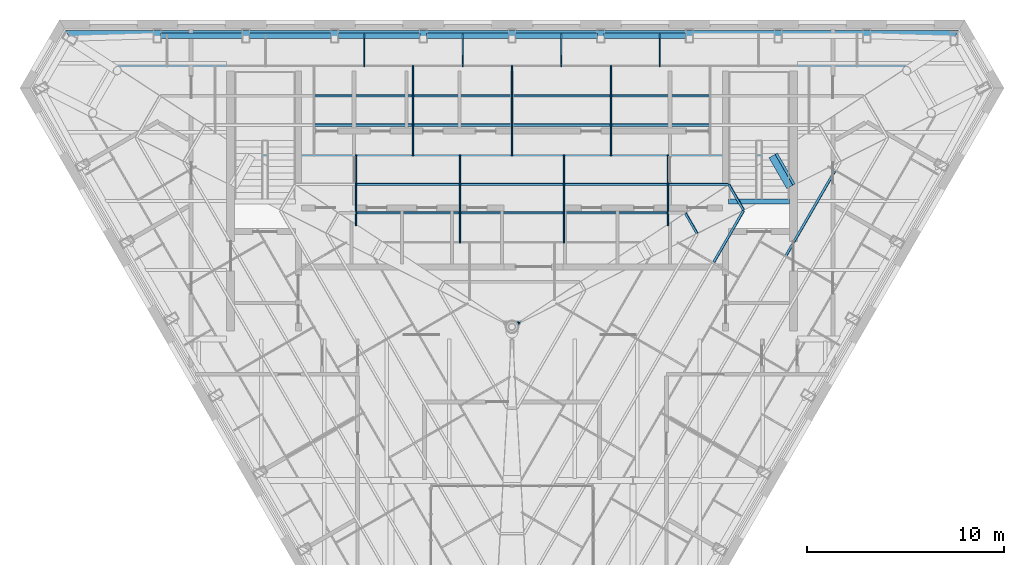
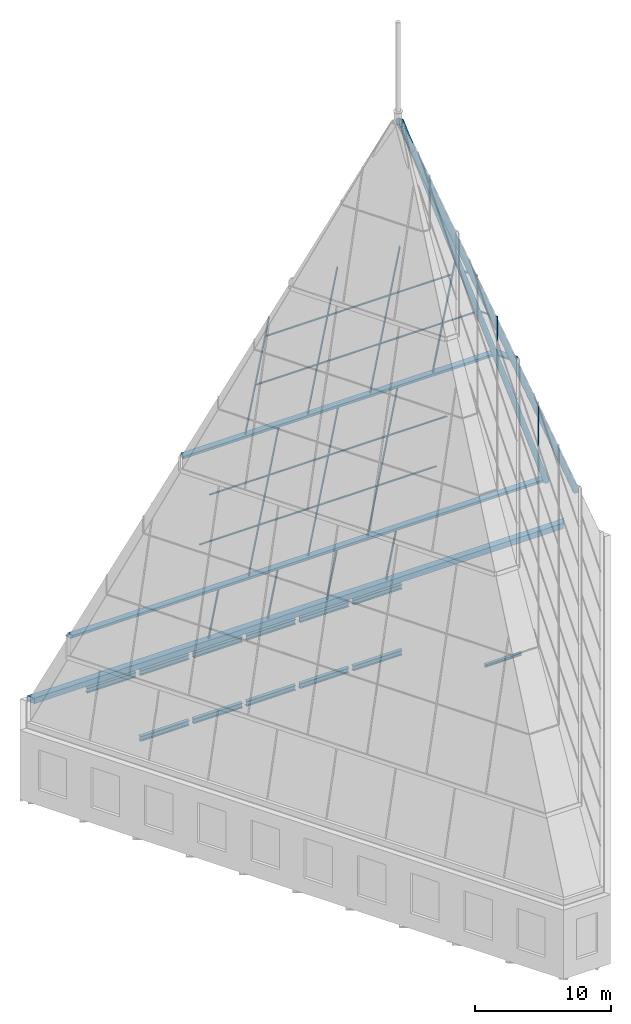
# One storey, part 22 of 36: 36 members, 12 beams, 7 elements without a shape of their own.
"""IFC4 building model written with IfcOpenShell, lengths in metres."""

import ifcopenshell
import ifcopenshell.guid

model = None  # the IFC model being written
_history = None  # IfcOwnerHistory: only IFC2X3 demands one
_inside = {}  # id of a spatial element -> (the spatial element, [elements in it])
_under = {}  # id of a project, library or spatial element -> (it, [spatial elements below it])
_declared = {}  # id of a project -> (the project, [libraries it declares])
_typed = {}  # id of a type object -> (the type object, [elements of that type])
_made_of = {}  # id of a material, layer set ... -> (it, [elements and type objects made of it])


def new_model(schema):
    """Start an empty IFC model of exactly this schema.

    Asked for "IFC4X3", IfcOpenShell would pick the latest addendum, in which some entities
    have other attributes; the version numbers below select the first issue.
    IFC2X3 requires an IfcOwnerHistory on every rooted entity: one is made here for all.
    """
    global model, _history
    if schema == "IFC4X3":
        model = ifcopenshell.file(schema_version=(4, 3, 0, 0))
    else:
        model = ifcopenshell.file(schema=schema)
    _inside.clear()
    _under.clear()
    _declared.clear()
    _typed.clear()
    _made_of.clear()
    _history = None
    if model.schema == "IFC2X3":
        org = make("IfcOrganization", Name="unknown")
        user = make(
            "IfcPersonAndOrganization",
            ThePerson=make("IfcPerson", FamilyName="unknown"),
            TheOrganization=org,
        )
        app = make(
            "IfcApplication",
            ApplicationDeveloper=org,
            Version="unknown",
            ApplicationFullName="unknown",
            ApplicationIdentifier="unknown",
        )
        _history = make(
            "IfcOwnerHistory",
            OwningUser=user,
            OwningApplication=app,
            ChangeAction="ADDED",
            CreationDate=0,
        )
    return model


def make(cls, **values):
    """One entity of the class cls with the attributes given. An attribute that is None is left unset."""
    return model.create_entity(
        cls, **{name: value for name, value in values.items() if value is not None}
    )


def rooted(cls, **values):
    """An entity with a GlobalId (a new one), such as an element, a storey or a relation."""
    return make(cls, GlobalId=ifcopenshell.guid.new(), OwnerHistory=_history, **values)


def si_unit(unit_type, name, prefix=None):
    """IfcSIUnit, for example si_unit("LENGTHUNIT", "METRE", prefix="MILLI")."""
    return make("IfcSIUnit", UnitType=unit_type, Prefix=prefix, Name=name)


def assignment(units):
    """IfcUnitAssignment: the units of a project."""
    return None if units is None else make("IfcUnitAssignment", Units=units)


def point(xyz):
    """IfcCartesianPoint."""
    return None if xyz is None else make("IfcCartesianPoint", Coordinates=xyz)


def direction(xyz):
    """IfcDirection."""
    return None if xyz is None else make("IfcDirection", DirectionRatios=xyz)


def frame(location, z_axis=None, x_axis=None):
    """IfcAxis2Placement3D, a coordinate frame: its origin and axes. An axis left out is left unset."""
    return make(
        "IfcAxis2Placement3D",
        Location=point(location),
        Axis=direction(z_axis),
        RefDirection=direction(x_axis),
    )


def frame_2d(location, x_axis=None):
    """IfcAxis2Placement2D, a coordinate frame in the plane: its origin and x axis."""
    return make(
        "IfcAxis2Placement2D", Location=point(location), RefDirection=direction(x_axis)
    )


def origin():
    """The frame at (0, 0, 0) with its axes left unset."""
    return frame((0.0, 0.0, 0.0))


def origin_2d():
    """The frame at (0, 0) in the plane with its x axis left unset."""
    return frame_2d((0.0, 0.0))


def place(relative_to, where):
    """IfcLocalPlacement: puts the frame where relative to a parent placement (None: the world)."""
    return make(
        "IfcLocalPlacement", PlacementRelTo=relative_to, RelativePlacement=where
    )


def context(
    kind, dimensions, precision=None, world=None, true_north=None, identifier=None
):
    """IfcGeometricRepresentationContext, for example the 3D "Model" context."""
    return make(
        "IfcGeometricRepresentationContext",
        ContextIdentifier=identifier,
        ContextType=kind,
        CoordinateSpaceDimension=dimensions,
        Precision=precision,
        WorldCoordinateSystem=world,
        TrueNorth=true_north,
    )


def subcontext(parent, identifier, kind, view, scale=None):
    """IfcGeometricRepresentationSubContext, for example "Body" below "Model"."""
    return make(
        "IfcGeometricRepresentationSubContext",
        ContextIdentifier=identifier,
        ContextType=kind,
        ParentContext=parent,
        TargetScale=scale,
        TargetView=view,
    )


def project(units=None, contexts=None):
    """IfcProject with its units and contexts."""
    return rooted(
        "IfcProject",
        Name="project",
        RepresentationContexts=contexts,
        UnitsInContext=assignment(units),
    )


def spatial(cls, under=None, at=None, **own):
    """A site, building, storey or space (cls), placed at a placement, below another one or the project."""
    s = rooted(cls, ObjectPlacement=at, **own)
    if under is not None:
        _under.setdefault(under.id(), (under, []))[1].append(s)
    return s


def profile(cls, at=None, kind="AREA", **sizes):
    """A parametric profile (cls). Its sizes go by their IFC names, for example OverallWidth=200.0."""
    return make(cls, ProfileType=kind, Position=at, **sizes)


def rectangle(**sizes):
    """IfcRectangleProfileDef."""
    return profile("IfcRectangleProfileDef", **sizes)


def hollow_rectangle(**sizes):
    """IfcRectangleHollowProfileDef."""
    return profile("IfcRectangleHollowProfileDef", **sizes)


def hollow_circle(**sizes):
    """IfcCircleHollowProfileDef."""
    return profile("IfcCircleHollowProfileDef", **sizes)


def i_section(**sizes):
    """IfcIShapeProfileDef."""
    return profile("IfcIShapeProfileDef", **sizes)


def extrude(swept, where, along, depth):
    """IfcExtrudedAreaSolid: the profile swept, set in the frame where, extruded along a direction by depth."""
    return make(
        "IfcExtrudedAreaSolid",
        SweptArea=swept,
        Position=where,
        ExtrudedDirection=direction(along),
        Depth=depth,
    )


def clip(a, b, op="DIFFERENCE"):
    """IfcBooleanClippingResult: the solid a cut by the half space b."""
    return make(
        "IfcBooleanClippingResult", Operator=op, FirstOperand=a, SecondOperand=b
    )


def halfspace(plane, agree):
    """IfcHalfSpaceSolid: all space on one side of the plane z = 0 of the frame plane."""
    return make(
        "IfcHalfSpaceSolid",
        BaseSurface=make("IfcPlane", Position=plane),
        AgreementFlag=agree,
    )


def shape(context_of_items, identifier, shape_type, items):
    """IfcShapeRepresentation: the items that make up one representation, for example the "Body"."""
    return make(
        "IfcShapeRepresentation",
        ContextOfItems=context_of_items,
        RepresentationIdentifier=identifier,
        RepresentationType=shape_type,
        Items=items,
    )


def material(Name=None, Category=None):
    """IfcMaterial."""
    return make("IfcMaterial", Name=Name, Category=Category)


def layer(
    of_material, thickness, ventilated=None, Name=None, Category=None, Priority=None
):
    """IfcMaterialLayer: one layer of a wall or slab, of a material (None: an air gap)."""
    return make(
        "IfcMaterialLayer",
        Material=of_material,
        LayerThickness=thickness,
        IsVentilated=ventilated,
        Name=Name,
        Category=Category,
        Priority=Priority,
    )


def layer_set(layers, Name=None):
    """IfcMaterialLayerSet."""
    return make("IfcMaterialLayerSet", MaterialLayers=layers, LayerSetName=Name)


def material_profile(
    of_material, cross_section, Name=None, Category=None, Priority=None
):
    """IfcMaterialProfile: a cross section and its material."""
    return make(
        "IfcMaterialProfile",
        Name=Name,
        Material=of_material,
        Profile=cross_section,
        Priority=Priority,
        Category=Category,
    )


def profile_set(profiles, Name=None, composite=None):
    """IfcMaterialProfileSet."""
    return make(
        "IfcMaterialProfileSet",
        Name=Name,
        MaterialProfiles=profiles,
        CompositeProfile=composite,
    )


def made_of(thing, what):
    """Note that an element or type object is made of a material, layer set ...; save() writes the relation."""
    if what is not None:
        _made_of.setdefault(what.id(), (what, []))[1].append(thing)
    return thing


def type_object(cls, material=None, **own):
    """A type object (cls), such as IfcWallType, which elements share."""
    return made_of(rooted(cls, **own), material)


def element(
    cls,
    number,
    at=None,
    inside=None,
    cuts=None,
    type_object=None,
    material=None,
    context=None,
    identifier="Body",
    shape_type=None,
    held_by="IfcProductDefinitionShape",
    body=None,
    shapes=None,
    **own,
):
    """One element of the class cls, such as IfcWall. Its Tag is "e" and its number.

    at: its placement. inside: the storey or other place that contains it. cuts: it is an
    opening in that element (IfcRelVoidsElement). A single representation is given by context,
    identifier, shape_type and body (its items); several are given by shapes. held_by: the class
    of the entity that holds the representations. save() writes the other relations.
    """
    e = rooted(cls, Tag="e%d" % number, ObjectPlacement=at, **own)
    if body is not None:
        shapes = [shape(context, identifier, shape_type, body)]
    if shapes is not None:
        e.Representation = make(held_by, Representations=shapes)
    if inside is not None:
        _inside.setdefault(inside.id(), (inside, []))[1].append(e)
    if cuts is not None:
        rooted(
            "IfcRelVoidsElement", RelatingBuildingElement=cuts, RelatedOpeningElement=e
        )
    if type_object is not None:
        _typed.setdefault(type_object.id(), (type_object, []))[1].append(e)
    return made_of(e, material)


def aggregate(whole, parts):
    """IfcRelAggregates: a whole, such as a stair, and the parts it consists of."""
    return rooted("IfcRelAggregates", RelatingObject=whole, RelatedObjects=parts)


def save(model, path):
    """Write the relations noted so far, then the file.

    IfcRelAggregates (storeys below a building ...), IfcRelContainedInSpatialStructure (elements
    in a storey), IfcRelDefinesByType, IfcRelAssociatesMaterial and IfcRelDeclares: one each for
    every whole, place, type object, material and project.
    """
    for whole, parts in _under.values():
        aggregate(whole, parts)
    for where, things in _inside.values():
        rooted(
            "IfcRelContainedInSpatialStructure",
            RelatedElements=things,
            RelatingStructure=where,
        )
    for kind, things in _typed.values():
        rooted("IfcRelDefinesByType", RelatedObjects=things, RelatingType=kind)
    for what, things in _made_of.values():
        rooted("IfcRelAssociatesMaterial", RelatedObjects=things, RelatingMaterial=what)
    for by, libraries in _declared.values():
        rooted("IfcRelDeclares", RelatingContext=by, RelatedDefinitions=libraries)
    model.write(path)


model = new_model("IFC4")

# Units and contexts
model_context = context("Model", 3, precision=1e-05, world=origin(), true_north=direction((0.0, 1.0)))
body_context = subcontext(model_context, "Body", "Model", "MODEL_VIEW")
ifc_project = project(units=[si_unit("LENGTHUNIT", "METRE"), si_unit("AREAUNIT", "SQUARE_METRE"), si_unit("VOLUMEUNIT", "CUBIC_METRE"), si_unit("PLANEANGLEUNIT", "RADIAN"), si_unit("MASSUNIT", "GRAM", prefix="KILO")], contexts=[model_context])

# Site, building, storey
site_placement = place(None, origin())
site = spatial("IfcSite", under=ifc_project, at=site_placement, CompositionType="ELEMENT")
building_placement = place(site_placement, origin())
building = spatial("IfcBuilding", under=site, at=building_placement, Name="Njiva Tower", CompositionType="ELEMENT")
storey_placement = place(building_placement, frame((0.0, 0.0, 337.8)))
storey = spatial("IfcBuildingStorey", under=building, at=storey_placement, Name="L77", CompositionType="ELEMENT", Elevation=337.8)

# Beams
ifc_material_1 = material(Name="Steel S355 J2", Category="steel")
ifc_material_profile_1 = material_profile(ifc_material_1, i_section(OverallWidth=0.3, OverallDepth=0.44, WebThickness=0.0115, FlangeThickness=0.021, at=origin_2d()), Name="HEA 450")
ifc_profile_set_1 = profile_set([ifc_material_profile_1], Name="Steel S355 J2")
beam_type_1 = type_object("IfcBeamType", Name="B57 Short-span spandrel beam HEA 450", PredefinedType="SPANDREL", material=ifc_profile_set_1)
beam_1_placement = place(storey_placement, frame((8.838, 19.4, -0.42), z_axis=(-1.0, 0.0, 0.0), x_axis=(0.0, -1.0, 0.0)))
element("IfcBeam", 1, at=beam_1_placement, inside=storey, type_object=beam_type_1, Name="Short-span spandrel beam CR-B107", PredefinedType="SPANDREL", context=body_context, shape_type="SweptSolid", body=[
    extrude(i_section(OverallWidth=0.3, OverallDepth=0.44, WebThickness=0.0115, FlangeThickness=0.021, at=origin_2d()), origin(), (0.0, 0.0, 1.0), 4.156),
])
for number, where, z_axis, x_axis, name in (
    (2, (4.332, 19.4, -0.42), (-1.0, 0.0, 0.0), (0.0, -1.0, 0.0), "Short-span spandrel beam CR-B104"),
    (3, (-0.175, 19.4, -0.42), (-1.0, 0.0, 0.0), (0.0, -1.0, 0.0), "Short-span spandrel beam CR-B101"),
):
    element("IfcBeam", number, at=place(storey_placement, frame(where, z_axis=z_axis, x_axis=x_axis)), inside=storey, type_object=beam_type_1, Name=name, PredefinedType="SPANDREL", context=body_context, shape_type="SweptSolid", body=[
        extrude(i_section(OverallWidth=0.3, OverallDepth=0.44, WebThickness=0.0115, FlangeThickness=0.021, at=origin_2d()), origin(), (0.0, 0.0, 1.0), 4.157),
    ])
beam_2_placement = place(storey_placement, frame((-4.682, 19.4, -0.42), z_axis=(-1.0, 0.0, 0.0), x_axis=(0.0, -1.0, 0.0)))
element("IfcBeam", 4, at=beam_2_placement, inside=storey, type_object=beam_type_1, Name="Short-span spandrel beam CR-B098", PredefinedType="SPANDREL", context=body_context, shape_type="SweptSolid", body=[
    extrude(i_section(OverallWidth=0.3, OverallDepth=0.44, WebThickness=0.0115, FlangeThickness=0.021, at=origin_2d()), origin(), (0.0, 0.0, 1.0), 4.156),
])
beam_3_placement = place(storey_placement, frame((-9.188, 19.4, -0.42), z_axis=(-1.0, 0.0, 0.0), x_axis=(0.0, -1.0, 0.0)))
element("IfcBeam", 5, at=beam_3_placement, inside=storey, type_object=beam_type_1, Name="Short-span spandrel beam CR-B095", PredefinedType="SPANDREL", context=body_context, shape_type="SweptSolid", body=[
    extrude(i_section(OverallWidth=0.3, OverallDepth=0.44, WebThickness=0.0115, FlangeThickness=0.021, at=origin_2d()), origin(), (0.0, 0.0, 1.0), 4.157),
])
ifc_material_profile_2 = material_profile(ifc_material_1, i_section(OverallWidth=0.3, OverallDepth=0.44, WebThickness=0.0115, FlangeThickness=0.021, at=origin_2d()), Name="HEA 450")
ifc_profile_set_2 = profile_set([ifc_material_profile_2], Name="Steel S355 J2")
beam_type_2 = type_object("IfcBeamType", Name="B64 Roof edge beam HEA 450", PredefinedType="SPANDREL", material=ifc_profile_set_2)
beam_4_placement = place(storey_placement, frame((8.838, 19.4, 5.48), z_axis=(-1.0, 0.0, 0.0), x_axis=(0.0, -1.0, 0.0)))
element("IfcBeam", 6, at=beam_4_placement, inside=storey, type_object=beam_type_2, Name="Roof edge beam CR-B074", PredefinedType="SPANDREL", context=body_context, shape_type="SweptSolid", body=[
    extrude(i_section(OverallWidth=0.3, OverallDepth=0.44, WebThickness=0.0115, FlangeThickness=0.021, at=origin_2d()), origin(), (0.0, 0.0, 1.0), 4.156),
])
for number, where, z_axis, x_axis, name in (
    (7, (4.332, 19.4, 5.48), (-1.0, 0.0, 0.0), (0.0, -1.0, 0.0), "Roof edge beam CR-B071"),
    (8, (-0.175, 19.4, 5.48), (-1.0, 0.0, 0.0), (0.0, -1.0, 0.0), "Roof edge beam CR-B068"),
):
    element("IfcBeam", number, at=place(storey_placement, frame(where, z_axis=z_axis, x_axis=x_axis)), inside=storey, type_object=beam_type_2, Name=name, PredefinedType="SPANDREL", context=body_context, shape_type="SweptSolid", body=[
        extrude(i_section(OverallWidth=0.3, OverallDepth=0.44, WebThickness=0.0115, FlangeThickness=0.021, at=origin_2d()), origin(), (0.0, 0.0, 1.0), 4.157),
    ])
beam_5_placement = place(storey_placement, frame((-4.682, 19.4, 5.48), z_axis=(-1.0, 0.0, 0.0), x_axis=(0.0, -1.0, 0.0)))
element("IfcBeam", 9, at=beam_5_placement, inside=storey, type_object=beam_type_2, Name="Roof edge beam CR-B065", PredefinedType="SPANDREL", context=body_context, shape_type="SweptSolid", body=[
    extrude(i_section(OverallWidth=0.3, OverallDepth=0.44, WebThickness=0.0115, FlangeThickness=0.021, at=origin_2d()), origin(), (0.0, 0.0, 1.0), 4.156),
])
beam_6_placement = place(storey_placement, frame((-9.188, 19.4, 5.48), z_axis=(-1.0, 0.0, 0.0), x_axis=(0.0, -1.0, 0.0)))
element("IfcBeam", 10, at=beam_6_placement, inside=storey, type_object=beam_type_2, Name="Roof edge beam CR-B062", PredefinedType="SPANDREL", context=body_context, shape_type="SweptSolid", body=[
    extrude(i_section(OverallWidth=0.3, OverallDepth=0.44, WebThickness=0.0115, FlangeThickness=0.021, at=origin_2d()), origin(), (0.0, 0.0, 1.0), 4.157),
])
beam_7_placement = place(storey_placement, frame((-13.695, 19.4, 5.48), z_axis=(-1.0, 0.0, 0.0), x_axis=(0.0, -1.0, 0.0)))
element("IfcBeam", 11, at=beam_7_placement, inside=storey, type_object=beam_type_2, Name="Roof edge beam CR-B059", PredefinedType="SPANDREL", context=body_context, shape_type="SweptSolid", body=[
    extrude(i_section(OverallWidth=0.3, OverallDepth=0.44, WebThickness=0.0115, FlangeThickness=0.021, at=origin_2d()), origin(), (0.0, 0.0, 1.0), 4.156),
])

# Members
ifc_material_2 = material(Name="Steel S355 J2H", Category="steel")
ifc_material_profile_3 = material_profile(ifc_material_2, hollow_rectangle(XDim=0.55, YDim=0.5, WallThickness=0.016, at=origin_2d()), Name="BOX 500x550x16")
ifc_profile_set_3 = profile_set([ifc_material_profile_3], Name="Steel S355 J2H")
member_type_1 = type_object("IfcMemberType", Name="CF1 Crown frame base ring RHS 500x550x16", PredefinedType="USERDEFINED", material=ifc_profile_set_3)
member_1_placement = place(storey_placement, frame((23.1381, 19.4, 6.25), z_axis=(-1.0, 0.0, 0.0), x_axis=(0.0, -1.0, 0.0)))
element("IfcMember", 12, at=member_1_placement, inside=storey, type_object=member_type_1, Name="Crown frame base ring", ObjectType="CROWN FRAME", PredefinedType="USERDEFINED", context=body_context, shape_type="Clipping", body=[
    clip(clip(extrude(hollow_rectangle(XDim=0.55, YDim=0.5, WallThickness=0.016, at=origin_2d()), origin(), (0.0, 0.0, 1.0), 46.2762), halfspace(frame((0.0, 0.0, 0.6), z_axis=(0.499999999907, 0.0, -0.866025403838), x_axis=(0.0, -1.0, 0.0)), False)), halfspace(frame((0.0, 0.0, 45.6762), z_axis=(0.499999999907, 0.0, 0.866025403838), x_axis=(0.0, 1.0, 0.0)), False)),
])
ifc_material_profile_4 = material_profile(ifc_material_2, hollow_rectangle(XDim=0.3, YDim=0.4, WallThickness=0.016, at=origin_2d()), Name="BOX 400x300x16")
ifc_profile_set_4 = profile_set([ifc_material_profile_4], Name="Steel S355 J2H")
member_type_2 = type_object("IfcMemberType", Name="CF3 Crown frame ring RHS 400x300x16", PredefinedType="USERDEFINED", material=ifc_profile_set_4)
member_2_placement = place(storey_placement, frame((20.779, 17.852, 12.1), z_axis=(-1.0, 0.0, 0.0), x_axis=(0.0, -0.266428483965, 0.963854689739)))
element("IfcMember", 13, at=member_2_placement, inside=storey, type_object=member_type_2, Name="Crown frame ring", ObjectType="CROWN FRAME", PredefinedType="USERDEFINED", context=body_context, shape_type="Clipping", body=[
    clip(clip(extrude(hollow_rectangle(XDim=0.3, YDim=0.4, WallThickness=0.016, at=origin_2d()), origin(), (0.0, 0.0, 1.0), 41.558), halfspace(frame((0.0, 0.0, 0.6), z_axis=(0.331224449192, -0.474208225432, -0.81573091347), x_axis=(0.0, -0.864532022795, 0.502577736835)), False)), halfspace(frame((0.0, 0.0, 40.958), z_axis=(0.331224449192, -0.474208225432, 0.81573091347), x_axis=(0.0, 0.864532022795, 0.502577736835)), False)),
])

# Curtain wall, member
ifc_material_3 = material(Name="Glazed curtain wall", Category="glass")
ifc_layer_1 = layer(ifc_material_3, 0.16)
ifc_layer_set_1 = layer_set([ifc_layer_1], Name="Glazed curtain wall")
curtain_wall_type_1 = type_object("IfcCurtainWallType", Name="CW2 Crown glazing, faceted point, long faces", PredefinedType="NOTDEFINED", material=ifc_layer_set_1)
curtain_wall_1_placement = place(storey_placement, origin())
curtain_wall_1 = element("IfcCurtainWall", 14, at=curtain_wall_1_placement, inside=storey, type_object=curtain_wall_type_1, Name="Crown glazing face N tier 2", PredefinedType="NOTDEFINED")
ifc_material_profile_5 = material_profile(ifc_material_2, hollow_circle(Radius=0.2285, WallThickness=0.016, at=origin_2d()), Name="CHS 457x16")
ifc_profile_set_5 = profile_set([ifc_material_profile_5], Name="Steel S355 J2H")
member_type_3 = type_object("IfcMemberType", Name="CW2-H Crown glazing hip CHS 457x16", PredefinedType="USERDEFINED", material=ifc_profile_set_5)
member_3_placement = place(storey_placement, frame((20.057, 17.6296, 11.9871), z_axis=(-0.376216218527, -0.246853967046, 0.893042258726), x_axis=(0.548597526295, -0.836086570962, 0.0)))
member_3 = element("IfcMember", 15, at=member_3_placement, type_object=member_type_3, Name="Crown glazing hip", ObjectType="HIP", PredefinedType="USERDEFINED", context=body_context, shape_type="Clipping", body=[
    clip(extrude(hollow_circle(Radius=0.2285, WallThickness=0.016, at=origin_2d()), origin(), (0.0, 0.0, 1.0), 52.6514), halfspace(frame((0.0236, 0.0388, 52.6319), z_axis=(-0.476988951925, -0.784903137401, 0.395485277399), x_axis=(0.0, 0.449972803766, 0.893042258726)), False)),
])

curtain_wall_2_placement = place(storey_placement, origin())
curtain_wall_2 = element("IfcCurtainWall", 16, at=curtain_wall_2_placement, inside=storey, type_object=curtain_wall_type_1, Name="Crown glazing face SE tier 2", PredefinedType="NOTDEFINED")
member_4_placement = place(storey_placement, frame((21.3024, 15.4724, 11.9871), z_axis=(-0.401889019948, -0.202386068415, 0.893042605342), x_axis=(0.449774688888, -0.893142054343, 0.0)))
member_4 = element("IfcMember", 17, at=member_4_placement, type_object=member_type_3, Name="Crown glazing hip", ObjectType="HIP", PredefinedType="USERDEFINED", context=body_context, shape_type="Clipping", body=[
    clip(extrude(hollow_circle(Radius=0.2285, WallThickness=0.016, at=origin_2d()), origin(), (0.0, 0.0, 1.0), 52.6514), halfspace(frame((-0.0236, 0.0388, 52.6318), z_axis=(0.476987730219, -0.784904034155, 0.395484971127), x_axis=(0.0, 0.449972115851, 0.893042605342)), False)),
])

# Curtain wall, members
curtain_wall_3_placement = place(storey_placement, origin())
curtain_wall_3 = element("IfcCurtainWall", 18, at=curtain_wall_3_placement, inside=storey, type_object=curtain_wall_type_1, Name="Crown glazing face N tier 1", PredefinedType="NOTDEFINED")
ifc_material_4 = material(Name="Aluminium mullion", Category="aluminium")
ifc_material_profile_6 = material_profile(ifc_material_4, rectangle(XDim=0.16, YDim=0.06, at=origin_2d()), Name="RECT 160x60")
ifc_profile_set_6 = profile_set([ifc_material_profile_6], Name="Aluminium mullion")
member_type_4 = type_object("IfcMemberType", Name="CW2-M Crown glazing mullion 160x60", PredefinedType="MULLION", material=ifc_profile_set_6)
member_5_placement = place(storey_placement, frame((7.5127, 19.4, 6.5), z_axis=(0.0, -0.266431706022, 0.963853799093), x_axis=(0.0, 0.963853799093, 0.266431706022)))
member_5 = element("IfcMember", 19, at=member_5_placement, type_object=member_type_4, Name="CW2-11 mullion 3", PredefinedType="MULLION", context=body_context, shape_type="Clipping", body=[
    clip(clip(extrude(rectangle(XDim=0.16, YDim=0.06, at=origin_2d()), origin(), (0.0, 0.0, 1.0), 5.66), halfspace(frame((0.08, 0.0, 0.0), z_axis=(-3.342924e-06, 0.0, -0.999999999994), x_axis=(0.0, -1.0, 0.0)), False)), halfspace(frame((0.08, 0.0, 5.66), z_axis=(3.342924e-06, 0.0, 0.999999999994), x_axis=(0.0, 1.0, 0.0)), False)),
])
member_6_placement = place(storey_placement, frame((2.5042, 19.4, 6.5), z_axis=(0.0, -0.266431706022, 0.963853799093), x_axis=(0.0, 0.963853799093, 0.266431706022)))
member_6 = element("IfcMember", 20, at=member_6_placement, type_object=member_type_4, Name="CW2-11 mullion 4", PredefinedType="MULLION", context=body_context, shape_type="Clipping", body=[
    clip(clip(extrude(rectangle(XDim=0.16, YDim=0.06, at=origin_2d()), origin(), (0.0, 0.0, 1.0), 5.66), halfspace(frame((0.08, 0.0, 0.0), z_axis=(-3.342924e-06, 0.0, -0.999999999994), x_axis=(0.0, -1.0, 0.0)), False)), halfspace(frame((0.08, 0.0, 5.66), z_axis=(3.342924e-06, 0.0, 0.999999999994), x_axis=(0.0, 1.0, 0.0)), False)),
])
member_7_placement = place(storey_placement, frame((-2.5042, 19.4, 6.5), z_axis=(0.0, -0.266431706022, 0.963853799093), x_axis=(0.0, 0.963853799093, 0.266431706022)))
member_7 = element("IfcMember", 21, at=member_7_placement, type_object=member_type_4, Name="CW2-11 mullion 5", PredefinedType="MULLION", context=body_context, shape_type="Clipping", body=[
    clip(clip(extrude(rectangle(XDim=0.16, YDim=0.06, at=origin_2d()), origin(), (0.0, 0.0, 1.0), 5.66), halfspace(frame((0.08, 0.0, 0.0), z_axis=(-3.342924e-06, 0.0, -0.999999999994), x_axis=(0.0, -1.0, 0.0)), False)), halfspace(frame((0.08, 0.0, 5.66), z_axis=(3.342924e-06, 0.0, 0.999999999994), x_axis=(0.0, 1.0, 0.0)), False)),
])
member_8_placement = place(storey_placement, frame((-7.5127, 19.4, 6.5), z_axis=(0.0, -0.266431706022, 0.963853799093), x_axis=(0.0, 0.963853799093, 0.266431706022)))
member_8 = element("IfcMember", 22, at=member_8_placement, type_object=member_type_4, Name="CW2-11 mullion 6", PredefinedType="MULLION", context=body_context, shape_type="Clipping", body=[
    clip(clip(extrude(rectangle(XDim=0.16, YDim=0.06, at=origin_2d()), origin(), (0.0, 0.0, 1.0), 5.66), halfspace(frame((0.08, 0.0, 0.0), z_axis=(-3.342924e-06, 0.0, -0.999999999994), x_axis=(0.0, -1.0, 0.0)), False)), halfspace(frame((0.08, 0.0, 5.66), z_axis=(3.342924e-06, 0.0, 0.999999999994), x_axis=(0.0, 1.0, 0.0)), False)),
])
aggregate(curtain_wall_3, [member_5, member_6, member_7, member_8])

# Member
member_9_placement = place(storey_placement, frame((5.0295, 17.8121, 12.2446), z_axis=(0.0, -0.26643162411, 0.963853821735), x_axis=(0.0, 0.963853821735, 0.26643162411)))
member_9 = element("IfcMember", 23, at=member_9_placement, type_object=member_type_4, Name="CW2-12 mullion 3", PredefinedType="MULLION", context=body_context, shape_type="Clipping", body=[
    clip(clip(extrude(rectangle(XDim=0.16, YDim=0.06, at=origin_2d()), origin(), (0.0, 0.0, 1.0), 16.715), halfspace(frame((0.08, 0.0, 0.0), z_axis=(-3.25794e-06, 0.0, -0.999999999995), x_axis=(0.0, -1.0, 0.0)), False)), halfspace(frame((0.08, 0.0, 16.715), z_axis=(3.25794e-06, 0.0, 0.999999999995), x_axis=(0.0, 1.0, 0.0)), False)),
])

member_10_placement = place(storey_placement, frame((0.0, 17.8121, 12.2446), z_axis=(0.0, -0.26643162411, 0.963853821735), x_axis=(0.0, 0.963853821735, 0.26643162411)))
member_10 = element("IfcMember", 24, at=member_10_placement, type_object=member_type_4, Name="CW2-12 mullion 4", PredefinedType="MULLION", context=body_context, shape_type="Clipping", body=[
    clip(clip(extrude(rectangle(XDim=0.16, YDim=0.06, at=origin_2d()), origin(), (0.0, 0.0, 1.0), 16.715), halfspace(frame((0.08, 0.0, 0.0), z_axis=(-3.25794e-06, 0.0, -0.999999999995), x_axis=(0.0, -1.0, 0.0)), False)), halfspace(frame((0.08, 0.0, 16.715), z_axis=(3.25794e-06, 0.0, 0.999999999995), x_axis=(0.0, 1.0, 0.0)), False)),
])

member_11_placement = place(storey_placement, frame((-5.0295, 17.8121, 12.2446), z_axis=(0.0, -0.26643162411, 0.963853821735), x_axis=(0.0, 0.963853821735, 0.26643162411)))
member_11 = element("IfcMember", 25, at=member_11_placement, type_object=member_type_4, Name="CW2-12 mullion 5", PredefinedType="MULLION", context=body_context, shape_type="Clipping", body=[
    clip(clip(extrude(rectangle(XDim=0.16, YDim=0.06, at=origin_2d()), origin(), (0.0, 0.0, 1.0), 16.715), halfspace(frame((0.08, 0.0, 0.0), z_axis=(-3.25794e-06, 0.0, -0.999999999995), x_axis=(0.0, -1.0, 0.0)), False)), halfspace(frame((0.08, 0.0, 16.715), z_axis=(3.25794e-06, 0.0, 0.999999999995), x_axis=(0.0, 1.0, 0.0)), False)),
])

# Curtain wall, members
curtain_wall_4_placement = place(storey_placement, origin())
curtain_wall_4 = element("IfcCurtainWall", 26, at=curtain_wall_4_placement, inside=storey, type_object=curtain_wall_type_1, Name="Crown glazing face N tier 3", PredefinedType="NOTDEFINED")
member_12_placement = place(storey_placement, frame((7.9255, 13.2788, 28.6446), z_axis=(0.0, -0.26642960505, 0.963854379848), x_axis=(0.0, 0.963854379848, 0.26642960505)))
member_12 = element("IfcMember", 27, at=member_12_placement, type_object=member_type_4, Name="CW2-13 mullion 1", PredefinedType="MULLION", context=body_context, shape_type="Clipping", body=[
    clip(clip(extrude(rectangle(XDim=0.16, YDim=0.06, at=origin_2d()), origin(), (0.0, 0.0, 1.0), 13.0124), halfspace(frame((0.08, 0.0, 0.0), z_axis=(-1.163162e-06, 0.0, -0.999999999999), x_axis=(0.0, -1.0, 0.0)), False)), halfspace(frame((0.08, 0.0, 13.0125), z_axis=(4.37737e-07, -0.926532402811, 0.37621497384), x_axis=(0.0, 0.37621497384, 0.926532402811)), False)),
])
member_13_placement = place(storey_placement, frame((2.6418, 13.2788, 28.6446), z_axis=(0.0, -0.266429874799, 0.963854305284), x_axis=(0.0, 0.963854305284, 0.266429874799)))
member_13 = element("IfcMember", 28, at=member_13_placement, type_object=member_type_4, Name="CW2-13 mullion 2", PredefinedType="MULLION", context=body_context, shape_type="Clipping", body=[
    clip(clip(extrude(rectangle(XDim=0.16, YDim=0.06, at=origin_2d()), origin(), (0.0, 0.0, 1.0), 16.3), halfspace(frame((0.08, 0.0, 0.0), z_axis=(-1.443027e-06, 0.0, -0.999999999999), x_axis=(0.0, -1.0, 0.0)), False)), halfspace(frame((0.08, 0.0, 16.3), z_axis=(1.443027e-06, 0.0, 0.999999999999), x_axis=(0.0, 1.0, 0.0)), False)),
])
member_14_placement = place(storey_placement, frame((-2.6418, 13.2788, 28.6446), z_axis=(0.0, -0.266429874799, 0.963854305284), x_axis=(0.0, 0.963854305284, 0.266429874799)))
member_14 = element("IfcMember", 29, at=member_14_placement, type_object=member_type_4, Name="CW2-13 mullion 3", PredefinedType="MULLION", context=body_context, shape_type="Clipping", body=[
    clip(clip(extrude(rectangle(XDim=0.16, YDim=0.06, at=origin_2d()), origin(), (0.0, 0.0, 1.0), 16.3), halfspace(frame((0.08, 0.0, 0.0), z_axis=(-1.443027e-06, 0.0, -0.999999999999), x_axis=(0.0, -1.0, 0.0)), False)), halfspace(frame((0.08, 0.0, 16.3), z_axis=(1.443027e-06, 0.0, 0.999999999999), x_axis=(0.0, 1.0, 0.0)), False)),
])
member_15_placement = place(storey_placement, frame((-7.9255, 13.2788, 28.6446), z_axis=(0.0, -0.26642960505, 0.963854379848), x_axis=(0.0, 0.963854379848, 0.26642960505)))
member_15 = element("IfcMember", 30, at=member_15_placement, type_object=member_type_4, Name="CW2-13 mullion 4", PredefinedType="MULLION", context=body_context, shape_type="Clipping", body=[
    clip(clip(extrude(rectangle(XDim=0.16, YDim=0.06, at=origin_2d()), origin(), (0.0, 0.0, 1.0), 13.0124), halfspace(frame((0.08, 0.0, 0.0), z_axis=(-1.163162e-06, 0.0, -0.999999999999), x_axis=(0.0, -1.0, 0.0)), False)), halfspace(frame((0.08, 0.0, 13.0125), z_axis=(4.37737e-07, 0.926532402811, 0.37621497384), x_axis=(0.0, 0.37621497384, -0.926532402811)), False)),
])

# Member
ifc_material_profile_7 = material_profile(ifc_material_2, hollow_rectangle(XDim=0.3, YDim=0.4, WallThickness=0.016, at=origin_2d()), Name="BOX 400x300x16")
ifc_profile_set_7 = profile_set([ifc_material_profile_7], Name="Steel S355 J2H")
member_type_5 = type_object("IfcMemberType", Name="CW2-R Crown glazing ring RHS 400x300x16", PredefinedType="USERDEFINED", material=ifc_profile_set_7)
member_16_placement = place(storey_placement, frame((13.2701, 13.3188, 28.5), z_axis=(-1.0, 0.0, 0.0), x_axis=(0.0, -0.266428483965, 0.963854689739)))
member_16 = element("IfcMember", 31, at=member_16_placement, type_object=member_type_5, Name="Crown glazing ring", ObjectType="RING", PredefinedType="USERDEFINED", context=body_context, shape_type="SweptSolid", body=[
    extrude(hollow_rectangle(XDim=0.3, YDim=0.4, WallThickness=0.016, at=origin_2d()), origin(), (0.0, 0.0, 1.0), 26.5402),
])

ifc_material_5 = material(Name="Aluminium transom", Category="aluminium")
ifc_material_profile_8 = material_profile(ifc_material_5, rectangle(XDim=0.12, YDim=0.06, at=origin_2d()), Name="RECT 120x60")
ifc_profile_set_8 = profile_set([ifc_material_profile_8], Name="Aluminium transom")
member_type_6 = type_object("IfcMemberType", Name="CW2-T Crown glazing transom 120x60", PredefinedType="USERDEFINED", material=ifc_profile_set_8)
member_17_placement = place(storey_placement, frame((10.029, 16.3469, 17.6202), z_axis=(-1.0, 0.0, 0.0), x_axis=(0.0, 0.963854689739, 0.266428483965)))
member_17 = element("IfcMember", 32, at=member_17_placement, type_object=member_type_6, Name="CW2-12 transom 3.1", ObjectType="TRANSOM", PredefinedType="USERDEFINED", context=body_context, shape_type="SweptSolid", body=[
    extrude(rectangle(XDim=0.12, YDim=0.06, at=origin_2d()), origin(), (0.0, 0.0, 1.0), 4.9695),
])

member_18_placement = place(storey_placement, frame((4.9995, 16.3469, 17.6202), z_axis=(-1.0, 0.0, 0.0), x_axis=(0.0, 0.963854689739, 0.266428483965)))
member_18 = element("IfcMember", 33, at=member_18_placement, type_object=member_type_6, Name="CW2-12 transom 4.1", ObjectType="TRANSOM", PredefinedType="USERDEFINED", context=body_context, shape_type="SweptSolid", body=[
    extrude(rectangle(XDim=0.12, YDim=0.06, at=origin_2d()), origin(), (0.0, 0.0, 1.0), 4.9695),
])

member_19_placement = place(storey_placement, frame((-0.03, 16.3469, 17.6202), z_axis=(-1.0, 0.0, 0.0), x_axis=(0.0, 0.963854689739, 0.266428483965)))
member_19 = element("IfcMember", 34, at=member_19_placement, type_object=member_type_6, Name="CW2-12 transom 5.1", ObjectType="TRANSOM", PredefinedType="USERDEFINED", context=body_context, shape_type="SweptSolid", body=[
    extrude(rectangle(XDim=0.12, YDim=0.06, at=origin_2d()), origin(), (0.0, 0.0, 1.0), 4.9695),
])

member_20_placement = place(storey_placement, frame((-5.0595, 16.3469, 17.6202), z_axis=(-1.0, 0.0, 0.0), x_axis=(0.0, 0.963854689739, 0.266428483965)))
member_20 = element("IfcMember", 35, at=member_20_placement, type_object=member_type_6, Name="CW2-12 transom 6.1", ObjectType="TRANSOM", PredefinedType="USERDEFINED", context=body_context, shape_type="SweptSolid", body=[
    extrude(rectangle(XDim=0.12, YDim=0.06, at=origin_2d()), origin(), (0.0, 0.0, 1.0), 4.9695),
])

member_21_placement = place(storey_placement, frame((10.029, 14.8625, 22.9905), z_axis=(-1.0, 0.0, 0.0), x_axis=(0.0, 0.963854689739, 0.266428483965)))
member_21 = element("IfcMember", 36, at=member_21_placement, type_object=member_type_6, Name="CW2-12 transom 3.2", ObjectType="TRANSOM", PredefinedType="USERDEFINED", context=body_context, shape_type="SweptSolid", body=[
    extrude(rectangle(XDim=0.12, YDim=0.06, at=origin_2d()), origin(), (0.0, 0.0, 1.0), 4.9695),
])

member_22_placement = place(storey_placement, frame((4.9995, 14.8625, 22.9905), z_axis=(-1.0, 0.0, 0.0), x_axis=(0.0, 0.963854689739, 0.266428483965)))
member_22 = element("IfcMember", 37, at=member_22_placement, type_object=member_type_6, Name="CW2-12 transom 4.2", ObjectType="TRANSOM", PredefinedType="USERDEFINED", context=body_context, shape_type="SweptSolid", body=[
    extrude(rectangle(XDim=0.12, YDim=0.06, at=origin_2d()), origin(), (0.0, 0.0, 1.0), 4.9695),
])

member_23_placement = place(storey_placement, frame((-0.03, 14.8625, 22.9905), z_axis=(-1.0, 0.0, 0.0), x_axis=(0.0, 0.963854689739, 0.266428483965)))
member_23 = element("IfcMember", 38, at=member_23_placement, type_object=member_type_6, Name="CW2-12 transom 5.2", ObjectType="TRANSOM", PredefinedType="USERDEFINED", context=body_context, shape_type="SweptSolid", body=[
    extrude(rectangle(XDim=0.12, YDim=0.06, at=origin_2d()), origin(), (0.0, 0.0, 1.0), 4.9695),
])

member_24_placement = place(storey_placement, frame((-5.0595, 14.8625, 22.9905), z_axis=(-1.0, 0.0, 0.0), x_axis=(0.0, 0.963854689739, 0.266428483965)))
member_24 = element("IfcMember", 39, at=member_24_placement, type_object=member_type_6, Name="CW2-12 transom 6.2", ObjectType="TRANSOM", PredefinedType="USERDEFINED", context=body_context, shape_type="SweptSolid", body=[
    extrude(rectangle(XDim=0.12, YDim=0.06, at=origin_2d()), origin(), (0.0, 0.0, 1.0), 4.9695),
])

aggregate(curtain_wall_1, [member_9, member_10, member_11, member_17, member_18, member_19, member_20, member_21, member_22, member_23, member_24, member_16, member_3])

member_25_placement = place(storey_placement, frame((11.003, 11.8505, 33.8869), z_axis=(-1.0, 0.0, 0.0), x_axis=(0.0, 0.963854689744, 0.266428483949)))
member_25 = element("IfcMember", 40, at=member_25_placement, type_object=member_type_6, Name="CW2-13 transom 1.1", ObjectType="TRANSOM", PredefinedType="USERDEFINED", context=body_context, shape_type="Clipping", body=[
    clip(extrude(rectangle(XDim=0.12, YDim=0.06, at=origin_2d()), origin(), (0.0, 0.0, 1.0), 3.0475), halfspace(frame((0.06, 0.0, 0.0), z_axis=(1.45e-10, -0.37621497384, -0.926532402811), x_axis=(0.0, -0.926532402811, 0.37621497384)), False)),
])

member_26_placement = place(storey_placement, frame((7.8955, 11.8505, 33.8869), z_axis=(-1.0, 0.0, 0.0), x_axis=(0.0, 0.963854689744, 0.266428483949)))
member_26 = element("IfcMember", 41, at=member_26_placement, type_object=member_type_6, Name="CW2-13 transom 2.1", ObjectType="TRANSOM", PredefinedType="USERDEFINED", context=body_context, shape_type="SweptSolid", body=[
    extrude(rectangle(XDim=0.12, YDim=0.06, at=origin_2d()), origin(), (0.0, 0.0, 1.0), 5.2237),
])

member_27_placement = place(storey_placement, frame((2.6118, 11.8505, 33.8869), z_axis=(-1.0, 0.0, 0.0), x_axis=(0.0, 0.963854689744, 0.266428483949)))
member_27 = element("IfcMember", 42, at=member_27_placement, type_object=member_type_6, Name="CW2-13 transom 3.1", ObjectType="TRANSOM", PredefinedType="USERDEFINED", context=body_context, shape_type="SweptSolid", body=[
    extrude(rectangle(XDim=0.12, YDim=0.06, at=origin_2d()), origin(), (0.0, 0.0, 1.0), 5.2236),
])

member_28_placement = place(storey_placement, frame((-2.6718, 11.8505, 33.8869), z_axis=(-1.0, 0.0, 0.0), x_axis=(0.0, 0.963854689744, 0.266428483949)))
member_28 = element("IfcMember", 43, at=member_28_placement, type_object=member_type_6, Name="CW2-13 transom 4.1", ObjectType="TRANSOM", PredefinedType="USERDEFINED", context=body_context, shape_type="SweptSolid", body=[
    extrude(rectangle(XDim=0.12, YDim=0.06, at=origin_2d()), origin(), (0.0, 0.0, 1.0), 5.2237),
])

member_29_placement = place(storey_placement, frame((7.8955, 10.4029, 39.1238), z_axis=(-1.0, 0.0, 0.0), x_axis=(0.0, 0.963854689744, 0.266428483949)))
member_29 = element("IfcMember", 44, at=member_29_placement, type_object=member_type_6, Name="CW2-13 transom 2.2", ObjectType="TRANSOM", PredefinedType="USERDEFINED", context=body_context, shape_type="SweptSolid", body=[
    extrude(rectangle(XDim=0.12, YDim=0.06, at=origin_2d()), origin(), (0.0, 0.0, 1.0), 5.2237),
])

member_30_placement = place(storey_placement, frame((2.6118, 10.4029, 39.1238), z_axis=(-1.0, 0.0, 0.0), x_axis=(0.0, 0.963854689744, 0.266428483949)))
member_30 = element("IfcMember", 45, at=member_30_placement, type_object=member_type_6, Name="CW2-13 transom 3.2", ObjectType="TRANSOM", PredefinedType="USERDEFINED", context=body_context, shape_type="SweptSolid", body=[
    extrude(rectangle(XDim=0.12, YDim=0.06, at=origin_2d()), origin(), (0.0, 0.0, 1.0), 5.2236),
])

member_31_placement = place(storey_placement, frame((-2.6718, 10.4029, 39.1238), z_axis=(-1.0, 0.0, 0.0), x_axis=(0.0, 0.963854689744, 0.266428483949)))
member_31 = element("IfcMember", 46, at=member_31_placement, type_object=member_type_6, Name="CW2-13 transom 4.2", ObjectType="TRANSOM", PredefinedType="USERDEFINED", context=body_context, shape_type="SweptSolid", body=[
    extrude(rectangle(XDim=0.12, YDim=0.06, at=origin_2d()), origin(), (0.0, 0.0, 1.0), 5.2237),
])

aggregate(curtain_wall_4, [member_12, member_13, member_14, member_15, member_25, member_26, member_27, member_28, member_29, member_30, member_31])

member_32_placement = place(storey_placement, frame((13.9221, 8.2235, 22.9905), z_axis=(0.499993607921, 0.866029094221, 0.0), x_axis=(0.834726203916, -0.481921183835, 0.266428483965)))
member_32 = element("IfcMember", 47, at=member_32_placement, type_object=member_type_6, Name="CW2-52 transom 7.2", ObjectType="TRANSOM", PredefinedType="USERDEFINED", context=body_context, shape_type="SweptSolid", body=[
    extrude(rectangle(XDim=0.12, YDim=0.06, at=origin_2d()), origin(), (0.0, 0.0, 1.0), 4.9695),
])

aggregate(curtain_wall_2, [member_32, member_4])

# Curtain wall, member
curtain_wall_5_placement = place(storey_placement, origin())
curtain_wall_5 = element("IfcCurtainWall", 48, at=curtain_wall_5_placement, inside=storey, type_object=curtain_wall_type_1, Name="Crown glazing face SE tier 3", PredefinedType="NOTDEFINED")
member_33_placement = place(storey_placement, frame((10.2469, 7.8818, 33.8869), z_axis=(0.499989459123, 0.866031489477, 0.0), x_axis=(0.834728512598, -0.481917184998, 0.266428483949)))
member_33 = element("IfcMember", 49, at=member_33_placement, type_object=member_type_6, Name="CW2-53 transom 5.1", ObjectType="TRANSOM", PredefinedType="USERDEFINED", context=body_context, shape_type="Clipping", body=[
    clip(extrude(rectangle(XDim=0.12, YDim=0.06, at=origin_2d()), origin(), (0.0, 0.0, 1.0), 3.0475), halfspace(frame((0.06, 0.0001, 3.0474), z_axis=(1.0869165e-05, -0.376211969512, 0.926533622638), x_axis=(0.0, 0.926533622692, 0.376211969534)), False)),
])
aggregate(curtain_wall_5, [member_33])

ifc_layer_2 = layer(ifc_material_3, 0.16)
ifc_layer_set_2 = layer_set([ifc_layer_2], Name="Glazed curtain wall")
curtain_wall_type_2 = type_object("IfcCurtainWallType", Name="CW3 Crown glazing, faceted point, corner faces", PredefinedType="NOTDEFINED", material=ifc_layer_set_2)
curtain_wall_6_placement = place(storey_placement, origin())
curtain_wall_6 = element("IfcCurtainWall", 50, at=curtain_wall_6_placement, inside=storey, type_object=curtain_wall_type_2, Name="Crown glazing face NE tier 2", PredefinedType="NOTDEFINED")
ifc_material_profile_9 = material_profile(ifc_material_2, hollow_rectangle(XDim=0.3, YDim=0.4, WallThickness=0.016, at=origin_2d()), Name="BOX 400x300x16")
ifc_profile_set_9 = profile_set([ifc_material_profile_9], Name="Steel S355 J2H")
member_type_7 = type_object("IfcMemberType", Name="CW3-R Crown corner glazing ring RHS 400x300x16", PredefinedType="USERDEFINED", material=ifc_profile_set_9)
member_34_placement = place(storey_placement, frame((14.1757, 11.7502, 28.5), z_axis=(-0.499986901684, 0.866032965969, 0.0), x_axis=(-0.389184111586, -0.224687703335, 0.893337093856)))
member_34 = element("IfcMember", 51, at=member_34_placement, type_object=member_type_7, Name="Crown glazing ring", ObjectType="RING", PredefinedType="USERDEFINED", context=body_context, shape_type="SweptSolid", body=[
    extrude(hollow_rectangle(XDim=0.3, YDim=0.4, WallThickness=0.016, at=origin_2d()), origin(), (0.0, 0.0, 1.0), 1.8112),
])
aggregate(curtain_wall_6, [member_34])

# Curtain wall, members
curtain_wall_7_placement = place(storey_placement, origin())
curtain_wall_7 = element("IfcCurtainWall", 52, at=curtain_wall_7_placement, inside=storey, type_object=curtain_wall_type_2, Name="Crown glazing face NE tier 3", PredefinedType="NOTDEFINED")
ifc_material_profile_10 = material_profile(ifc_material_5, rectangle(XDim=0.12, YDim=0.06, at=origin_2d()), Name="RECT 120x60")
ifc_profile_set_10 = profile_set([ifc_material_profile_10], Name="Aluminium transom")
member_type_8 = type_object("IfcMemberType", Name="CW3-T Crown corner glazing transom 120x60", PredefinedType="USERDEFINED", material=ifc_profile_set_10)
member_35_placement = place(storey_placement, frame((11.771, 10.5403, 33.887), z_axis=(-0.499991396514, 0.866030370952, 0.0), x_axis=(0.773657054771, 0.446660861111, 0.449387179117)))
member_35 = element("IfcMember", 53, at=member_35_placement, type_object=member_type_8, Name="CW3-63 transom 1.1", ObjectType="TRANSOM", PredefinedType="USERDEFINED", context=body_context, shape_type="Clipping", body=[
    clip(clip(extrude(rectangle(XDim=0.12, YDim=0.06, at=origin_2d()), origin(), (0.0, 0.0, 1.0), 1.502), halfspace(frame((0.06, 0.0, 0.0), z_axis=(8.872466e-06, -0.025670424963, -0.999670460304), x_axis=(0.0, -0.999670460343, 0.025670424964)), False)), halfspace(frame((0.06, 0.0, 1.5021), z_axis=(-8.872195e-06, -0.025679350171, 0.999670231074), x_axis=(0.0, 0.999670231114, 0.025679350172)), False)),
])
member_36_placement = place(storey_placement, frame((9.4111, 9.3519, 39.131), z_axis=(-0.500018069712, 0.86601497098, 0.0), x_axis=(0.773643297404, 0.446684689268, 0.449387179117)))
member_36 = element("IfcMember", 54, at=member_36_placement, type_object=member_type_8, Name="CW3-63 transom 1.2", ObjectType="TRANSOM", PredefinedType="USERDEFINED", context=body_context, shape_type="Clipping", body=[
    clip(clip(extrude(rectangle(XDim=0.12, YDim=0.06, at=origin_2d()), origin(), (0.0, 0.0, 1.0), 1.2006), halfspace(frame((0.06, 0.0, 0.0), z_axis=(-1.8632935e-05, -0.025684261369, -0.99967010477), x_axis=(0.0, -0.999670104943, 0.025684261373)), False)), halfspace(frame((0.06, 0.0, 1.2005), z_axis=(1.8633209e-05, -0.025665513763, 0.999670586271), x_axis=(0.0, 0.999670586445, 0.025665513768)), False)),
])
aggregate(curtain_wall_7, [member_35, member_36])

# Beam
ifc_material_profile_11 = material_profile(ifc_material_1, i_section(OverallWidth=0.24, OverallDepth=0.23, WebThickness=0.0075, FlangeThickness=0.012, at=origin_2d()), Name="HEA240")
ifc_profile_set_11 = profile_set([ifc_material_profile_11], Name="Steel S355 J2")
beam_type_3 = type_object("IfcBeamType", Name="FL8 Landing beam HEA 240", PredefinedType="BEAM", material=ifc_profile_set_11)
beam_8_placement = place(storey_placement, frame((10.994, 10.98, 2.685), z_axis=(1.0, 0.0, 0.0), x_axis=(0.0, 1.0, 0.0)))
element("IfcBeam", 55, at=beam_8_placement, inside=storey, type_object=beam_type_3, Name="Landing beam", PredefinedType="BEAM", context=body_context, shape_type="SweptSolid", body=[
    extrude(i_section(OverallWidth=0.24, OverallDepth=0.23, WebThickness=0.0075, FlangeThickness=0.012, at=origin_2d()), origin(), (0.0, 0.0, 1.0), 3.112),
])

save(model, "model.ifc")
